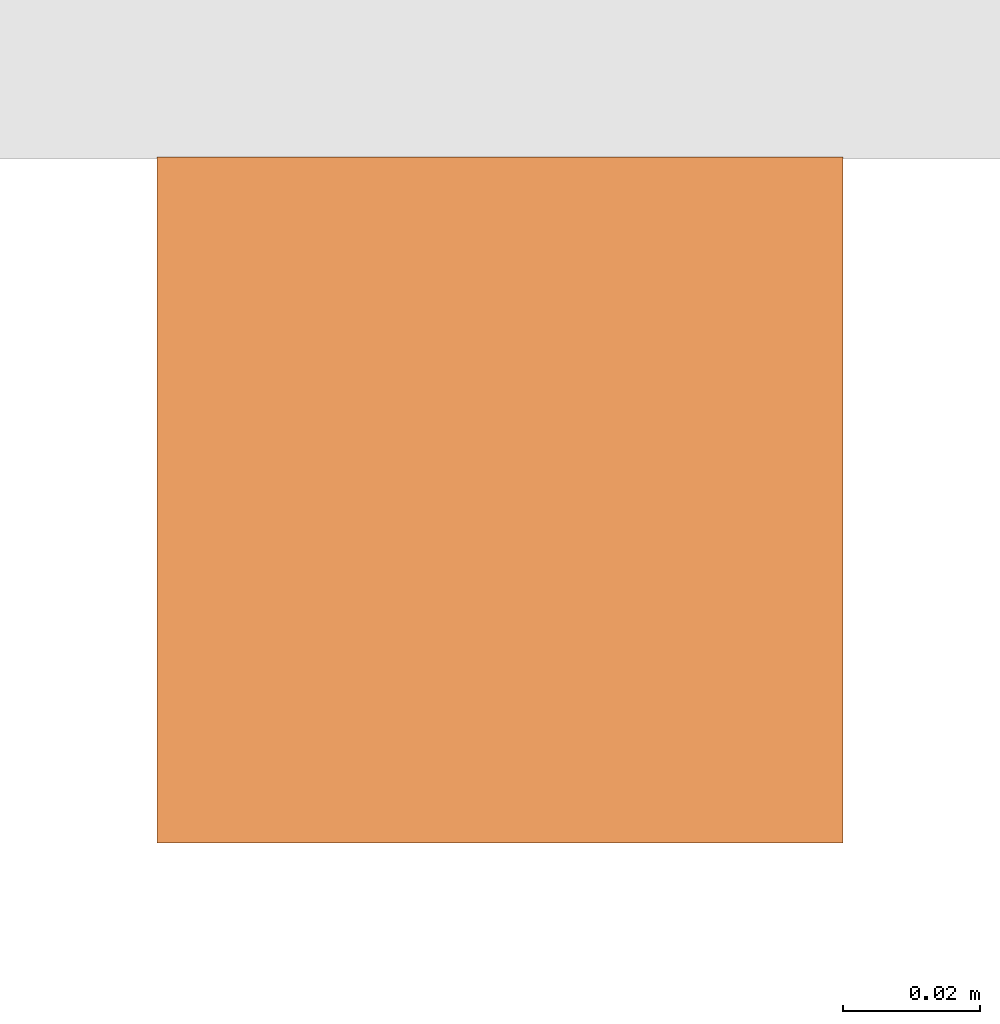
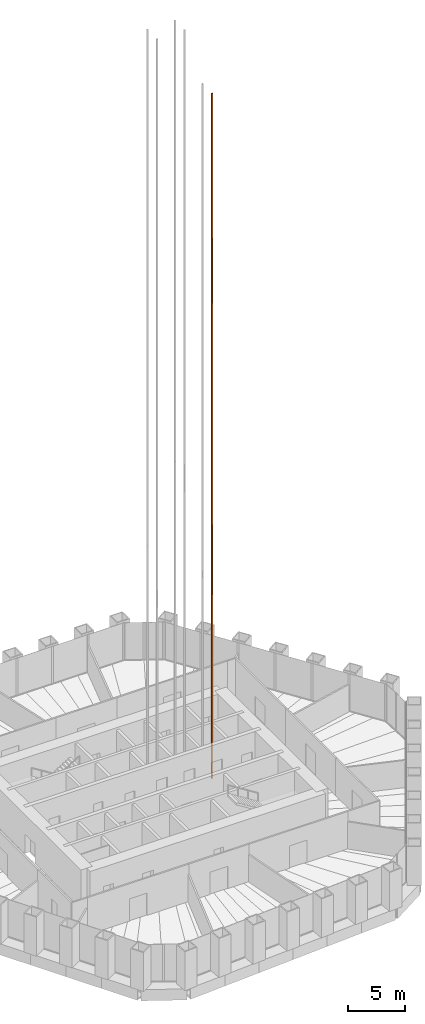
# One storey, part 19 of 20: 1 proxy.
"""IFC4 building model written with IfcOpenShell, lengths in metres."""

from ifc_helpers import new_model, si_unit, direction, frame, origin, origin_2d, place, context, subcontext, project, spatial, rectangle, extrude, material, type_object, element, save


model = new_model("IFC4")

# Units and contexts
model_context = context("Model", 3, precision=1e-05, world=origin(), true_north=direction((0.0, 1.0)))
body_context = subcontext(model_context, "Body", "Model", "MODEL_VIEW")
ifc_project = project(units=[si_unit("LENGTHUNIT", "METRE"), si_unit("AREAUNIT", "SQUARE_METRE"), si_unit("VOLUMEUNIT", "CUBIC_METRE"), si_unit("PLANEANGLEUNIT", "RADIAN"), si_unit("MASSUNIT", "GRAM", prefix="KILO")], contexts=[model_context])

# Site, building, storey
site_placement = place(None, origin())
site = spatial("IfcSite", under=ifc_project, at=site_placement, CompositionType="ELEMENT")
building_placement = place(site_placement, origin())
building = spatial("IfcBuilding", under=site, at=building_placement, Name="Qingtian Harvest Tower", CompositionType="ELEMENT")
storey_placement = place(building_placement, frame((0.0, 0.0, 180.39990234375)))
storey = spatial("IfcBuildingStorey", under=building, at=storey_placement, Name="L38", CompositionType="ELEMENT", Elevation=180.39990234375)

# Proxy
ifc_material = material(Name="Steel SN490B", Category="steel")
building_element_proxy_type = type_object("IfcBuildingElementProxyType", Name="Lift guide rail LR1", PredefinedType="NOTDEFINED", material=ifc_material)
proxy_placement = place(storey_placement, frame((7.5, 2.675048828125, 0.0), z_axis=(0.0, 0.0, 1.0), x_axis=(1.0, 0.0, 0.0)))
element("IfcBuildingElementProxy", 1, at=proxy_placement, inside=storey, type_object=building_element_proxy_type, Name="Lift PLC3 guide rail 1", PredefinedType="NOTDEFINED", context=body_context, shape_type="SweptSolid", body=[
    extrude(rectangle(XDim=0.10009765625, YDim=0.10009765625, at=origin_2d()), origin(), (0.0, 0.0, 1.0), 73.800048828125),
])

save(model, "model.ifc")
